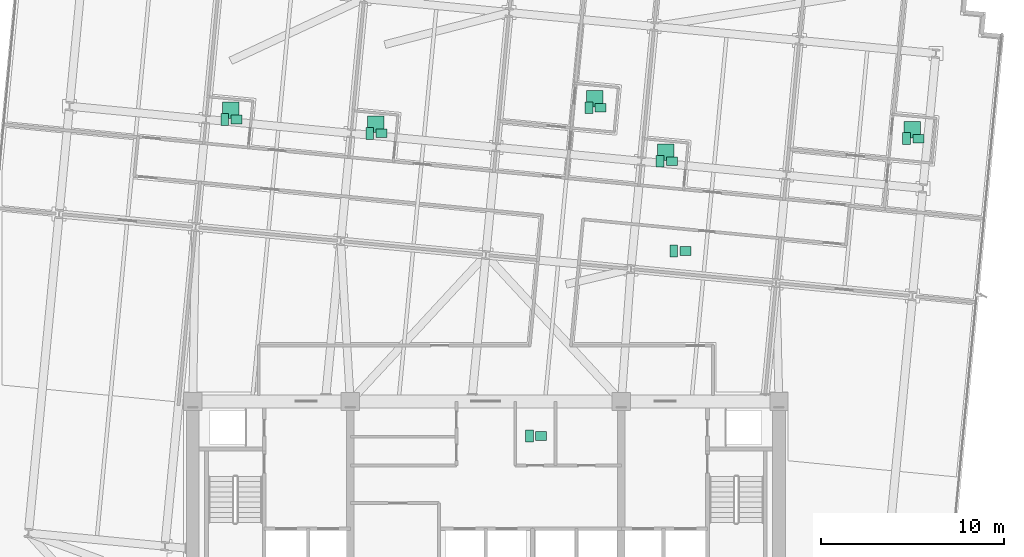
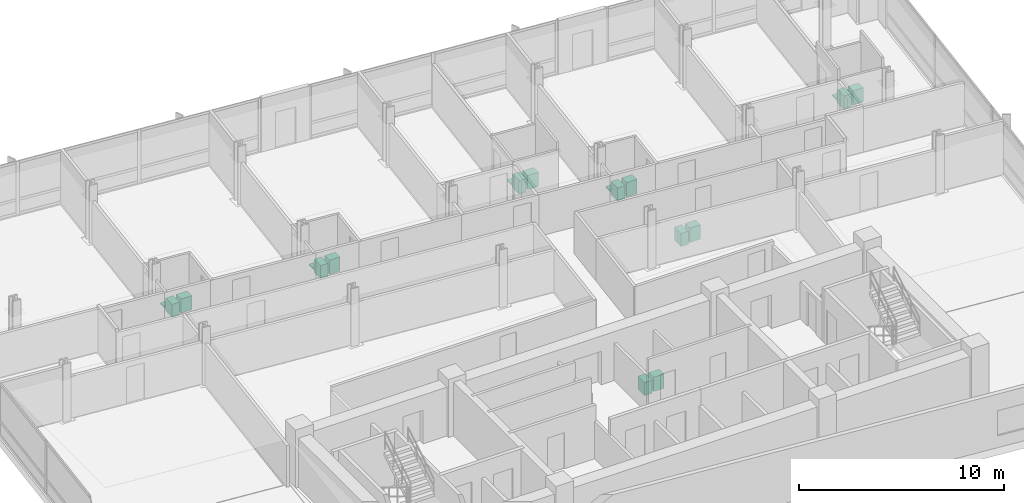
# One storey, part 18 of 18: 19 sanitary terminals.
"""IFC4 building model written with IfcOpenShell, lengths in metres."""

from ifc_helpers import new_model, si_unit, direction, frame, origin, origin_2d, place, context, subcontext, project, spatial, rectangle, extrude, material, type_object, element, save


model = new_model("IFC4")

# Units and contexts
model_context = context("Model", 3, precision=1e-05, world=origin(), true_north=direction((0.0, 1.0)))
body_context = subcontext(model_context, "Body", "Model", "MODEL_VIEW")
ifc_project = project(units=[si_unit("LENGTHUNIT", "METRE"), si_unit("AREAUNIT", "SQUARE_METRE"), si_unit("VOLUMEUNIT", "CUBIC_METRE"), si_unit("PLANEANGLEUNIT", "RADIAN"), si_unit("MASSUNIT", "GRAM", prefix="KILO")], contexts=[model_context])

# Site, building, storey
site_placement = place(None, origin())
site = spatial("IfcSite", under=ifc_project, at=site_placement, CompositionType="ELEMENT")
building_placement = place(site_placement, origin())
building = spatial("IfcBuilding", under=site, at=building_placement, Name="Solmavex Isthmus Hotel", CompositionType="ELEMENT")
storey_placement = place(building_placement, frame((0.0, 0.0, 135.89990234375)))
storey = spatial("IfcBuildingStorey", under=building, at=storey_placement, Name="L36", CompositionType="ELEMENT", Elevation=135.89990234375)

# Sanitary terminals
ifc_material = material(Name="Vitreous china ceramic", Category="ceramic")
sanitary_terminal_type_1 = type_object("IfcSanitaryTerminalType", Name="SAN-BASIN", PredefinedType="WASHHANDBASIN", material=ifc_material)
for number, where, z_axis, x_axis, name in (
    (1, (3.02001953125, -4.385009765625, 0.0), (0.0, 0.0, 1.0), (1.0, 0.0, 0.0), "Vanity Washbasin L36-166"),
    (2, (-13.608154296875, 12.896240234375, 0.0), (0.0, 0.0, 1.0), (1.0, 0.0, 0.0), "Vanity Washbasin L36-167"),
    (3, (-5.688720703125, 12.1337890625, 0.0), (0.0, 0.0, 1.0), (1.0, 0.0, 0.0), "Vanity Washbasin L36-168"),
    (4, (6.2724609375, 13.531982421875, 0.0), (0.0, 0.0, 1.0), (1.0, 0.0, 0.0), "Vanity Washbasin L36-169"),
    (5, (10.14990234375, 10.608642578125, 0.0), (0.0, 0.0, 1.0), (1.0, 0.0, 0.0), "Vanity Washbasin L36-170"),
    (6, (23.6083984375, 11.842529296875, 0.0), (0.0, 0.0, 1.0), (1.0, 0.0, 0.0), "Vanity Washbasin L36-171"),
    (7, (10.895263671875, 5.702880859375, 0.0), (0.0, 0.0, 1.0), (1.0, 0.0, 0.0), "Vanity Washbasin L36-172"),
):
    element("IfcSanitaryTerminal", number, at=place(storey_placement, frame(where, z_axis=z_axis, x_axis=x_axis)), inside=storey, type_object=sanitary_terminal_type_1, Name=name, PredefinedType="WASHHANDBASIN", context=body_context, shape_type="SweptSolid", body=[
        extrude(rectangle(XDim=0.60009765625, YDim=0.47998046875, at=origin_2d()), origin(), (0.0, 0.0, 1.0), 0.85009765625),
    ])
sanitary_terminal_type_2 = type_object("IfcSanitaryTerminalType", Name="SAN-SHOWER", PredefinedType="SHOWER", material=ifc_material)
for number, where, z_axis, x_axis, name in (
    (8, (-13.92822265625, 13.396240234375, 0.0), (0.0, 0.0, 1.0), (1.0, 0.0, 0.0), "Walk-In Shower L36-167"),
    (9, (-6.0087890625, 12.6337890625, 0.0), (0.0, 0.0, 1.0), (1.0, 0.0, 0.0), "Walk-In Shower L36-168"),
    (10, (5.952392578125, 14.031982421875, 0.0), (0.0, 0.0, 1.0), (1.0, 0.0, 0.0), "Walk-In Shower L36-169"),
    (11, (9.829833984375, 11.108642578125, 0.0), (0.0, 0.0, 1.0), (1.0, 0.0, 0.0), "Walk-In Shower L36-170"),
    (12, (23.288330078125, 12.342529296875, 0.0), (0.0, 0.0, 1.0), (1.0, 0.0, 0.0), "Walk-In Shower L36-171"),
):
    element("IfcSanitaryTerminal", number, at=place(storey_placement, frame(where, z_axis=z_axis, x_axis=x_axis)), inside=storey, type_object=sanitary_terminal_type_2, Name=name, PredefinedType="SHOWER", context=body_context, shape_type="SweptSolid", body=[
        extrude(rectangle(XDim=0.89990234375, YDim=0.89990234375, at=origin_2d()), origin(), (0.0, 0.0, 1.0), 0.080078125),
    ])
sanitary_terminal_type_3 = type_object("IfcSanitaryTerminalType", Name="SAN-WC-SUITE", PredefinedType="TOILETPAN", material=ifc_material)
for number, where, z_axis, x_axis, name in (
    (13, (2.3798828125, -4.385009765625, 0.0), (0.0, 0.0, 1.0), (1.0, 0.0, 0.0), "Water Closet L36-166"),
    (14, (-14.248291015625, 12.896240234375, 0.0), (0.0, 0.0, 1.0), (1.0, 0.0, 0.0), "Water Closet L36-167"),
    (15, (-6.328857421875, 12.1337890625, 0.0), (0.0, 0.0, 1.0), (1.0, 0.0, 0.0), "Water Closet L36-168"),
    (16, (5.63232421875, 13.531982421875, 0.0), (0.0, 0.0, 1.0), (1.0, 0.0, 0.0), "Water Closet L36-169"),
    (17, (9.510009765625, 10.608642578125, 0.0), (0.0, 0.0, 1.0), (1.0, 0.0, 0.0), "Water Closet L36-170"),
    (18, (22.96826171875, 11.842529296875, 0.0), (0.0, 0.0, 1.0), (1.0, 0.0, 0.0), "Water Closet L36-171"),
    (19, (10.25537109375, 5.702880859375, 0.0), (0.0, 0.0, 1.0), (1.0, 0.0, 0.0), "Water Closet L36-172"),
):
    element("IfcSanitaryTerminal", number, at=place(storey_placement, frame(where, z_axis=z_axis, x_axis=x_axis)), inside=storey, type_object=sanitary_terminal_type_3, Name=name, PredefinedType="TOILETPAN", context=body_context, shape_type="SweptSolid", body=[
        extrude(rectangle(XDim=0.419921875, YDim=0.64990234375, at=origin_2d()), origin(), (0.0, 0.0, 1.0), 0.780029296875),
    ])

save(model, "model.ifc")
